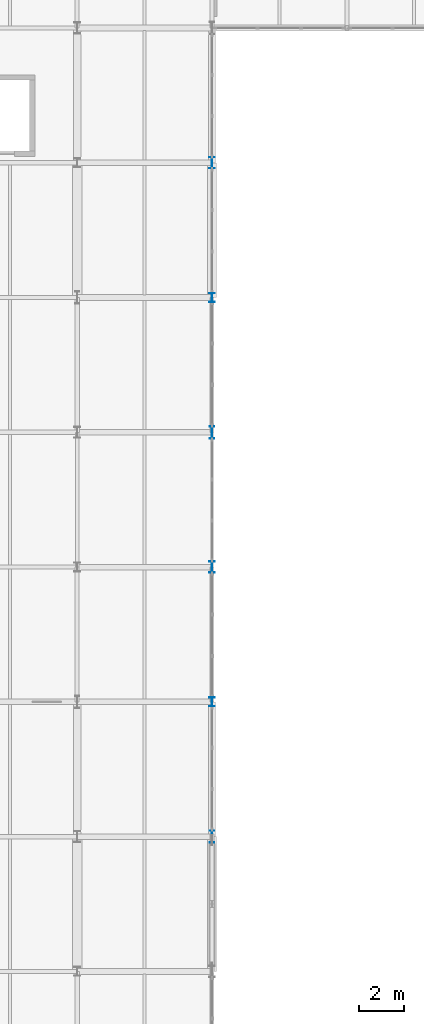
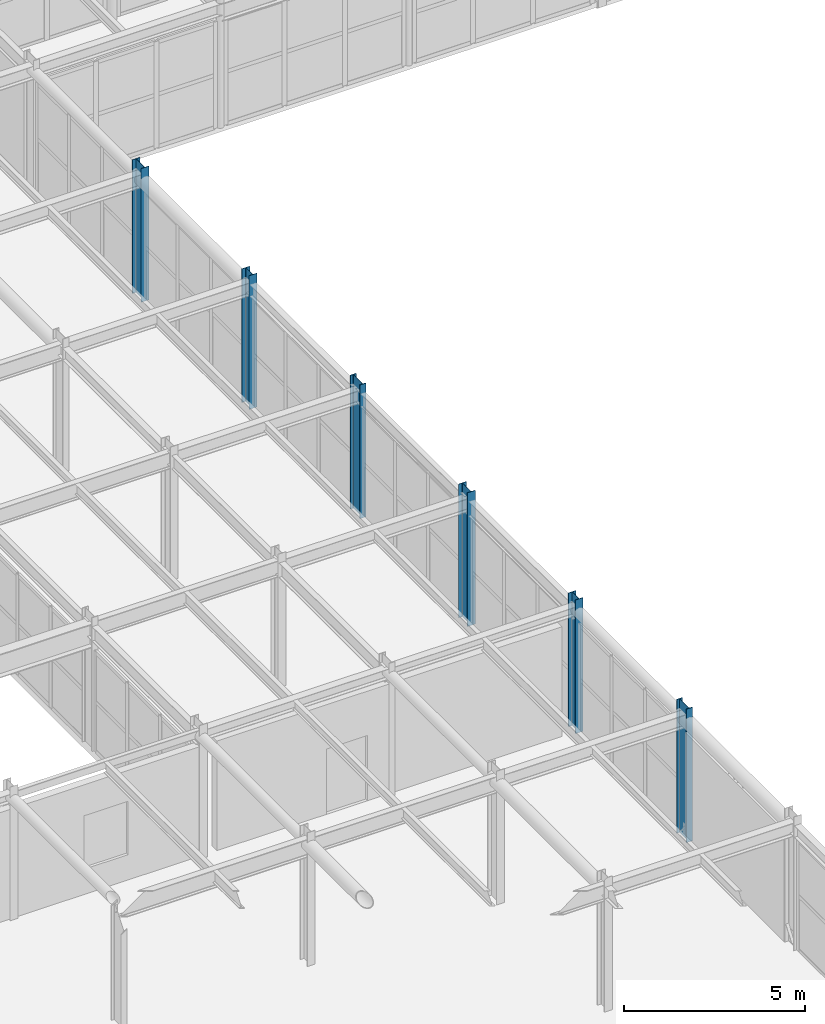
# One storey, part 5 of 84: 6 columns.
"""IFC4 building model written with IfcOpenShell, lengths in metres."""

from ifc_helpers import new_model, si_unit, direction, frame, origin, origin_2d, place, context, subcontext, project, spatial, i_section, extrude, material, material_profile, profile_set, type_object, element, save


model = new_model("IFC4")

# Units and contexts
model_context = context("Model", 3, precision=1e-05, world=origin(), true_north=direction((0.0, 1.0)))
body_context = subcontext(model_context, "Body", "Model", "MODEL_VIEW")
ifc_project = project(units=[si_unit("LENGTHUNIT", "METRE"), si_unit("AREAUNIT", "SQUARE_METRE"), si_unit("VOLUMEUNIT", "CUBIC_METRE"), si_unit("PLANEANGLEUNIT", "RADIAN"), si_unit("MASSUNIT", "GRAM", prefix="KILO")], contexts=[model_context])

# Site, building, storey
site_placement = place(None, origin())
site = spatial("IfcSite", under=ifc_project, at=site_placement, CompositionType="ELEMENT")
building_placement = place(site_placement, origin())
building = spatial("IfcBuilding", under=site, at=building_placement, Name="Varnakota Square Police Headquarters", CompositionType="ELEMENT")
storey_placement = place(building_placement, frame((0.0, 0.0, 13.5)))
storey = spatial("IfcBuildingStorey", under=building, at=storey_placement, Name="L03", CompositionType="ELEMENT", Elevation=13.5)

# Columns
ifc_material = material(Name="Steel IS 2062 Grade 350", Category="steel")
ifc_material_profile_1 = material_profile(ifc_material, i_section(OverallWidth=0.25, OverallDepth=0.39990234375, WebThickness=0.010498046875, FlangeThickness=0.0126953125, FilletRadius=0.013916015625, at=origin_2d()), Name="ISHB 400")
ifc_profile_set_1 = profile_set([ifc_material_profile_1], Name="Steel IS 2062 Grade 350")
column_type_1 = type_object("IfcColumnType", Name="COL-ISHB400", PredefinedType="COLUMN", material=ifc_profile_set_1)
for number, where, z_axis, x_axis, name in (
    (1, (42.0, 39.0, 0.0), (0.0, 0.0, 1.0), (1.0, 0.0, 0.0), "Column X0420-Y0390 L03"),
    (2, (42.0, 57.0, 0.0), (0.0, 0.0, 1.0), (1.0, 0.0, 0.0), "Column X0420-Y0570 L03"),
):
    element("IfcColumn", number, at=place(storey_placement, frame(where, z_axis=z_axis, x_axis=x_axis)), inside=storey, type_object=column_type_1, Name=name, PredefinedType="COLUMN", context=body_context, shape_type="SweptSolid", body=[
        extrude(i_section(OverallWidth=0.25, OverallDepth=0.39990234375, WebThickness=0.010498046875, FlangeThickness=0.0126953125, FilletRadius=0.013916015625, at=origin_2d()), origin(), (0.0, 0.0, 1.0), 4.5),
    ])
ifc_material_profile_2 = material_profile(ifc_material, i_section(OverallWidth=0.18994140625, OverallDepth=0.550048828125, WebThickness=0.01123046875, FlangeThickness=0.019287109375, FilletRadius=0.01806640625, at=origin_2d()), Name="ISMB 550")
ifc_profile_set_2 = profile_set([ifc_material_profile_2], Name="Steel IS 2062 Grade 350")
column_type_2 = type_object("IfcColumnType", Name="COL-ISMB550", PredefinedType="COLUMN", material=ifc_profile_set_2)
for number, where, z_axis, x_axis, name in (
    (3, (42.0, 33.0, 0.0), (0.0, 0.0, 1.0), (1.0, 0.0, 0.0), "Column X0420-Y0330 L03"),
    (4, (42.0, 51.0, 0.0), (0.0, 0.0, 1.0), (1.0, 0.0, 0.0), "Column X0420-Y0510 L03"),
):
    element("IfcColumn", number, at=place(storey_placement, frame(where, z_axis=z_axis, x_axis=x_axis)), inside=storey, type_object=column_type_2, Name=name, PredefinedType="COLUMN", context=body_context, shape_type="SweptSolid", body=[
        extrude(i_section(OverallWidth=0.18994140625, OverallDepth=0.550048828125, WebThickness=0.01123046875, FlangeThickness=0.019287109375, FilletRadius=0.01806640625, at=origin_2d()), origin(), (0.0, 0.0, 1.0), 4.5),
    ])
ifc_material_profile_3 = material_profile(ifc_material, i_section(OverallWidth=0.25, OverallDepth=0.5, WebThickness=0.010009765625, FlangeThickness=0.0146484375, FilletRadius=0.014892578125, at=origin_2d()), Name="ISWB 500")
ifc_profile_set_3 = profile_set([ifc_material_profile_3], Name="Steel IS 2062 Grade 350")
column_type_3 = type_object("IfcColumnType", Name="COL-ISWB500", PredefinedType="COLUMN", material=ifc_profile_set_3)
for number, where, z_axis, x_axis, name in (
    (5, (42.0, 45.0, 0.0), (0.0, 0.0, 1.0), (1.0, 0.0, 0.0), "Column X0420-Y0450 L03"),
    (6, (42.0, 63.0, 0.0), (0.0, 0.0, 1.0), (1.0, 0.0, 0.0), "Column X0420-Y0630 L03"),
):
    element("IfcColumn", number, at=place(storey_placement, frame(where, z_axis=z_axis, x_axis=x_axis)), inside=storey, type_object=column_type_3, Name=name, PredefinedType="COLUMN", context=body_context, shape_type="SweptSolid", body=[
        extrude(i_section(OverallWidth=0.25, OverallDepth=0.5, WebThickness=0.010009765625, FlangeThickness=0.0146484375, FilletRadius=0.014892578125, at=origin_2d()), origin(), (0.0, 0.0, 1.0), 4.5),
    ])

save(model, "model.ifc")
